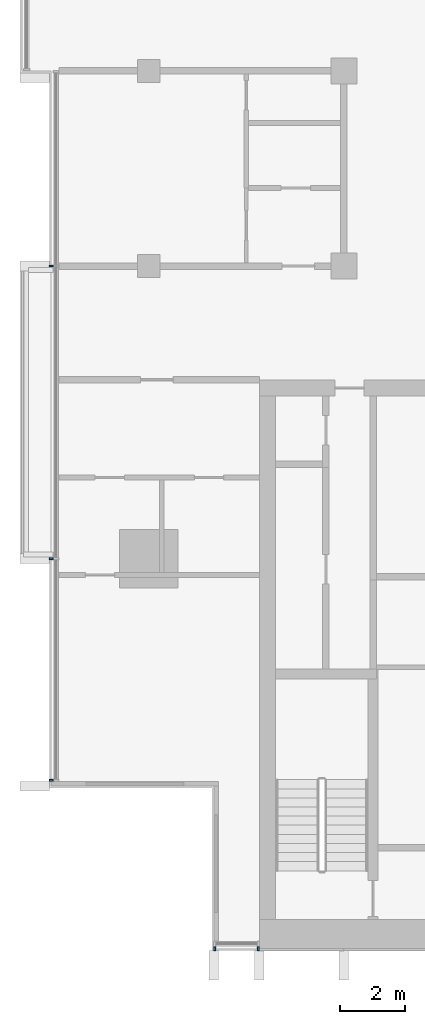
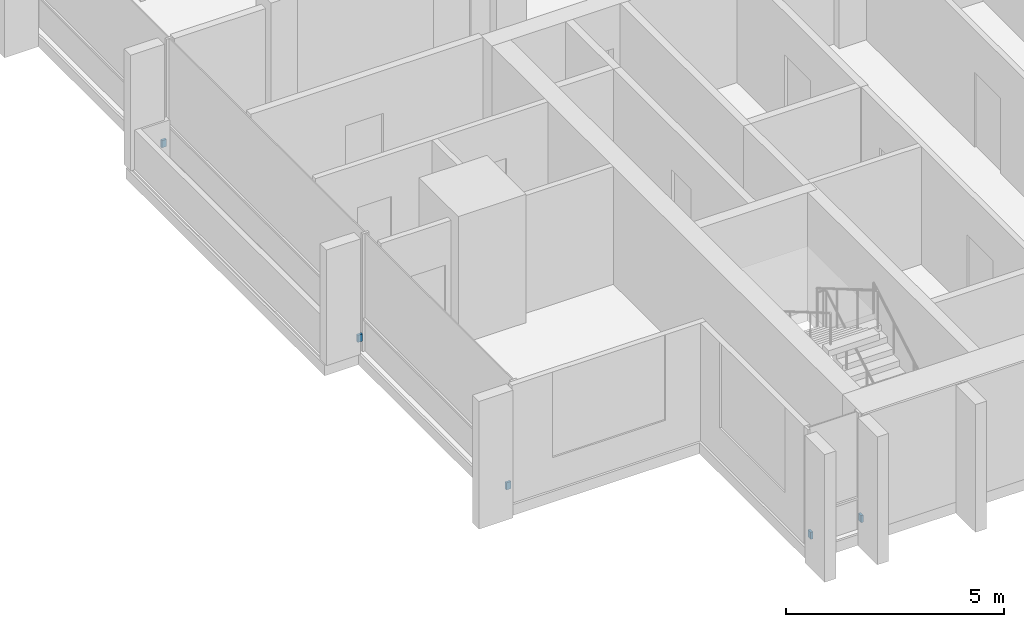
# One storey, part 12 of 16: 5 discrete accessories.
"""IFC4 building model written with IfcOpenShell, lengths in metres."""

from ifc_helpers import new_model, si_unit, direction, frame, origin, origin_2d, place, context, subcontext, project, spatial, rectangle, extrude, material, type_object, element, save


model = new_model("IFC4")

# Units and contexts
model_context = context("Model", 3, precision=1e-05, world=origin(), true_north=direction((0.0, 1.0)))
body_context = subcontext(model_context, "Body", "Model", "MODEL_VIEW")
ifc_project = project(units=[si_unit("LENGTHUNIT", "METRE"), si_unit("AREAUNIT", "SQUARE_METRE"), si_unit("VOLUMEUNIT", "CUBIC_METRE"), si_unit("PLANEANGLEUNIT", "RADIAN"), si_unit("MASSUNIT", "GRAM", prefix="KILO")], contexts=[model_context])

# Site, building, storey
site_placement = place(None, origin())
site = spatial("IfcSite", under=ifc_project, at=site_placement, CompositionType="ELEMENT")
building_placement = place(site_placement, origin())
building = spatial("IfcBuilding", under=site, at=building_placement, Name="Finial Court Residences", CompositionType="ELEMENT")
storey_placement = place(building_placement, frame((0.0, 0.0, 280.699951171875)))
storey = spatial("IfcBuildingStorey", under=building, at=storey_placement, Name="L71", CompositionType="ELEMENT", Elevation=280.699951171875)

# Discrete accessories
ifc_material = material(Name="Stainless steel 316", Category="steel")
discrete_accessory_type = type_object("IfcDiscreteAccessoryType", Name="Fin bracket, stainless steel 60 x 122 x 200", PredefinedType="BRACKET", material=ifc_material)
for number, where, z_axis, x_axis, name in (
    (1, (-14.469970703125, -25.498779296875, 0.30029296875), (0.0, 0.0, 1.0), (1.0, 0.0, 0.0), "E-L71-FIN-S13-BRK"),
    (2, (-13.1298828125, -25.498779296875, 0.30029296875), (0.0, 0.0, 1.0), (1.0, 0.0, 0.0), "E-L71-FIN-S14-BRK"),
):
    element("IfcDiscreteAccessory", number, at=place(storey_placement, frame(where, z_axis=z_axis, x_axis=x_axis)), inside=storey, type_object=discrete_accessory_type, Name=name, PredefinedType="BRACKET", context=body_context, shape_type="SweptSolid", body=[
        extrude(rectangle(XDim=0.06005859375, YDim=0.12255859375, at=origin_2d()), origin(), (0.0, 0.0, 1.0), 0.199951171875),
    ])
for number, where, z_axis, x_axis, name in (
    (3, (-19.498779296875, -20.320068359375, 0.30029296875), (0.0, 0.0, 1.0), (1.0, 0.0, 0.0), "E-L71-FIN-W21-BRK"),
    (4, (-19.498779296875, -13.5, 0.30029296875), (0.0, 0.0, 1.0), (1.0, 0.0, 0.0), "E-L71-FIN-W22-BRK"),
    (5, (-19.498779296875, -4.5, 0.30029296875), (0.0, 0.0, 1.0), (1.0, 0.0, 0.0), "E-L71-FIN-W23-BRK"),
):
    element("IfcDiscreteAccessory", number, at=place(storey_placement, frame(where, z_axis=z_axis, x_axis=x_axis)), inside=storey, type_object=discrete_accessory_type, Name=name, PredefinedType="BRACKET", context=body_context, shape_type="SweptSolid", body=[
        extrude(rectangle(XDim=0.12255859375, YDim=0.06005859375, at=origin_2d()), origin(), (0.0, 0.0, 1.0), 0.199951171875),
    ])

save(model, "model.ifc")
